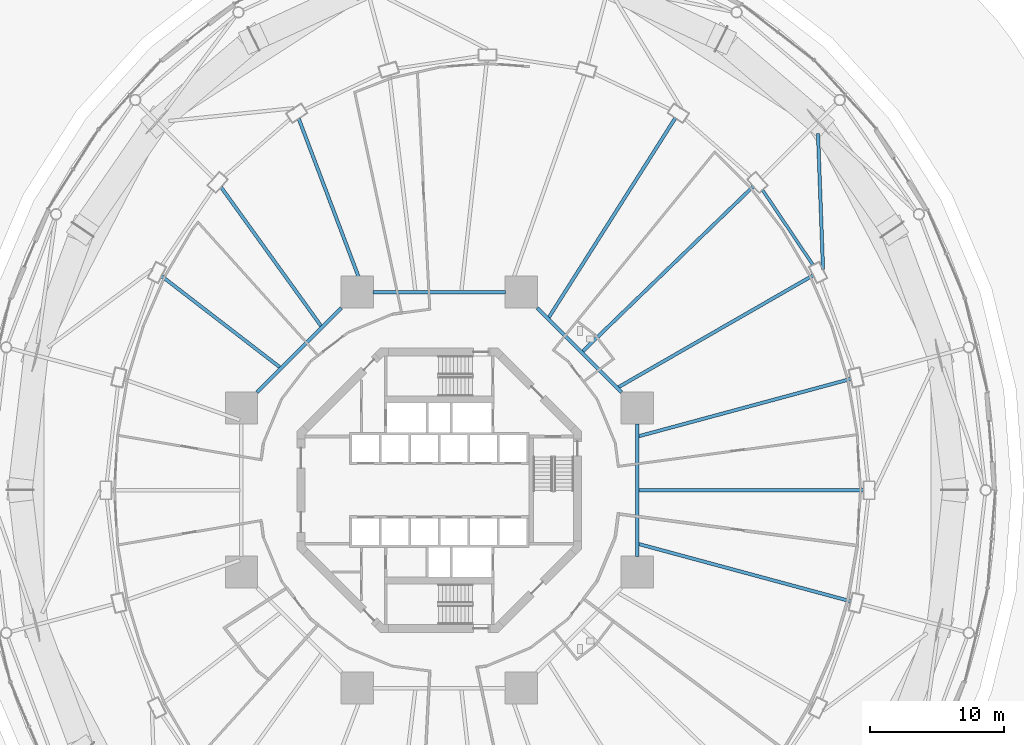
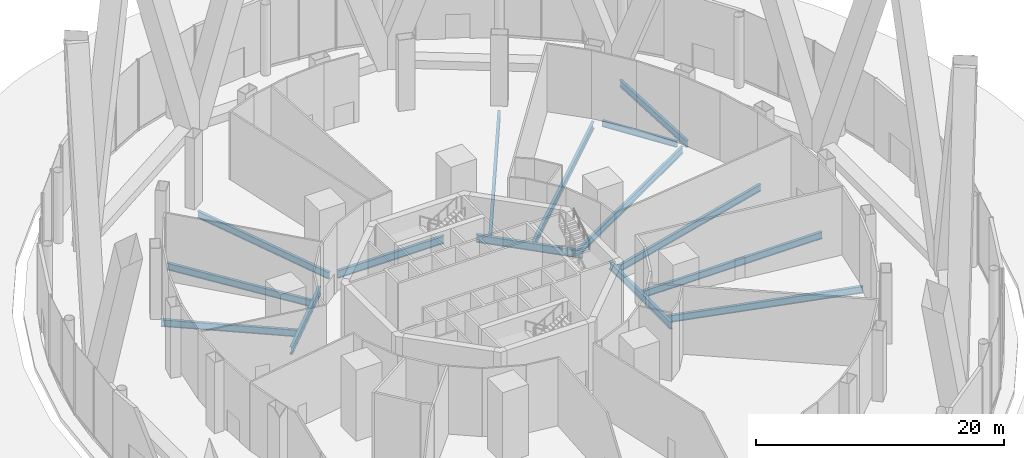
# One storey, part 29 of 67: 15 beams.
"""IFC4 building model written with IfcOpenShell, lengths in metres."""

from ifc_helpers import new_model, si_unit, direction, frame, origin, origin_2d, place, context, subcontext, project, spatial, i_section, extrude, material, material_profile, profile_set, type_object, element, save


model = new_model("IFC4")

# Units and contexts
model_context = context("Model", 3, precision=1e-05, world=origin(), true_north=direction((0.0, 1.0)))
body_context = subcontext(model_context, "Body", "Model", "MODEL_VIEW")
ifc_project = project(units=[si_unit("LENGTHUNIT", "METRE"), si_unit("AREAUNIT", "SQUARE_METRE"), si_unit("VOLUMEUNIT", "CUBIC_METRE"), si_unit("PLANEANGLEUNIT", "RADIAN"), si_unit("MASSUNIT", "GRAM", prefix="KILO")], contexts=[model_context])

# Site, building, storey
site_placement = place(None, origin())
site = spatial("IfcSite", under=ifc_project, at=site_placement, CompositionType="ELEMENT")
building_placement = place(site_placement, origin())
building = spatial("IfcBuilding", under=site, at=building_placement, Name="Nagisa Residences", CompositionType="ELEMENT")
storey_placement = place(building_placement, origin())
storey = spatial("IfcBuildingStorey", under=building, at=storey_placement, Name="L00", CompositionType="ELEMENT", Elevation=0.0)

# Beams
ifc_material_1 = material(Name="Steel ASTM A572 Gr 50", Category="steel")
ifc_material_profile_1 = material_profile(ifc_material_1, i_section(OverallWidth=0.2529296875, OverallDepth=0.677978515625, WebThickness=0.01171875, FlangeThickness=0.016357421875, at=origin_2d()), Name="W690x125")
ifc_profile_set_1 = profile_set([ifc_material_profile_1], Name="Steel ASTM A572 Gr 50")
beam_type_1 = type_object("IfcBeamType", Name="Atrium outer beam W690x125", PredefinedType="BEAM", material=ifc_profile_set_1)
beam_1_placement = place(storey_placement, frame((28.65478515625, 16.46533203125, -0.739013671875), z_axis=(-0.037024093308, 0.999314373215, 0.0), x_axis=(-0.999314373215, -0.037024093308, 0.0)))
element("IfcBeam", 1, at=beam_1_placement, inside=storey, type_object=beam_type_1, Name="beam:L00:er03a", PredefinedType="BEAM", context=body_context, shape_type="SweptSolid", body=[
    extrude(i_section(OverallWidth=0.2529296875, OverallDepth=0.677978515625, WebThickness=0.01171875, FlangeThickness=0.016357421875, at=origin_2d()), origin(), (0.0, 0.0, 1.0), 10.168212890625),
])
ifc_material_2 = material(Name="Steel ASTM A572 Gr 50", Category="steel")
ifc_material_profile_2 = material_profile(ifc_material_2, i_section(OverallWidth=0.264892578125, OverallDepth=0.7529296875, WebThickness=0.01318359375, FlangeThickness=0.01708984375, at=origin_2d()), Name="W760x147")
ifc_profile_set_2 = profile_set([ifc_material_profile_2], Name="Steel ASTM A572 Gr 50")
beam_type_2 = type_object("IfcBeamType", Name="Inner ring beam W760x147", PredefinedType="BEAM", material=ifc_profile_set_2)
beam_2_placement = place(storey_placement, frame((13.59619140625, 7.308837890625, -0.776611328125), z_axis=(-0.707106781187, 0.707106781187, 0.0), x_axis=(-0.707106781187, -0.707106781187, 0.0)))
element("IfcBeam", 2, at=beam_2_placement, inside=storey, type_object=beam_type_2, Name="beam:L00:ib1", PredefinedType="BEAM", context=body_context, shape_type="SweptSolid", body=[
    extrude(i_section(OverallWidth=0.264892578125, OverallDepth=0.7529296875, WebThickness=0.01318359375, FlangeThickness=0.01708984375, at=origin_2d()), origin(), (0.0, 0.0, 1.0), 8.8916015625),
])
beam_3_placement = place(storey_placement, frame((4.94287109375, 14.781982421875, -0.776611328125), z_axis=(-1.0, 0.0, 0.0), x_axis=(0.0, -1.0, 0.0)))
element("IfcBeam", 3, at=beam_3_placement, inside=storey, type_object=beam_type_2, Name="beam:L00:ib2", PredefinedType="BEAM", context=body_context, shape_type="SweptSolid", body=[
    extrude(i_section(OverallWidth=0.264892578125, OverallDepth=0.7529296875, WebThickness=0.01318359375, FlangeThickness=0.01708984375, at=origin_2d()), origin(), (0.0, 0.0, 1.0), 9.8857421875),
])
beam_4_placement = place(storey_placement, frame((-7.308837890625, 13.59619140625, -0.776611328125), z_axis=(-0.707106781187, -0.707106781187, 0.0), x_axis=(0.707106781187, -0.707106781187, 0.0)))
element("IfcBeam", 4, at=beam_4_placement, inside=storey, type_object=beam_type_2, Name="beam:L00:ib3", PredefinedType="BEAM", context=body_context, shape_type="SweptSolid", body=[
    extrude(i_section(OverallWidth=0.264892578125, OverallDepth=0.7529296875, WebThickness=0.01318359375, FlangeThickness=0.01708984375, at=origin_2d()), origin(), (0.0, 0.0, 1.0), 8.8916015625),
])
beam_5_placement = place(storey_placement, frame((14.781982421875, -4.94287109375, -0.776611328125), z_axis=(0.0, 1.0, 0.0), x_axis=(-1.0, 0.0, 0.0)))
element("IfcBeam", 5, at=beam_5_placement, inside=storey, type_object=beam_type_2, Name="beam:L00:ib8", PredefinedType="BEAM", context=body_context, shape_type="SweptSolid", body=[
    extrude(i_section(OverallWidth=0.264892578125, OverallDepth=0.7529296875, WebThickness=0.01318359375, FlangeThickness=0.01708984375, at=origin_2d()), origin(), (0.0, 0.0, 1.0), 9.8857421875),
])
ifc_material_3 = material(Name="Steel ASTM A572 Gr 50", Category="steel")
ifc_material_profile_3 = material_profile(ifc_material_3, i_section(OverallWidth=0.22802734375, OverallDepth=0.60302734375, WebThickness=0.010498046875, FlangeThickness=0.014892578125, at=origin_2d()), Name="W610x101")
ifc_profile_set_3 = profile_set([ifc_material_profile_3], Name="Steel ASTM A572 Gr 50")
beam_type_3 = type_object("IfcBeamType", Name="Perimeter ring beam W610x101", PredefinedType="BEAM", material=ifc_profile_set_3)
beam_6_placement = place(storey_placement, frame((27.899169921875, 16.818603515625, -0.701416015625), z_axis=(-0.558271879663, 0.829658067144, 0.0), x_axis=(-0.829658067144, -0.558271879663, 0.0)))
element("IfcBeam", 6, at=beam_6_placement, inside=storey, type_object=beam_type_3, Name="beam:L00:pb03", PredefinedType="BEAM", context=body_context, shape_type="SweptSolid", body=[
    extrude(i_section(OverallWidth=0.22802734375, OverallDepth=0.60302734375, WebThickness=0.010498046875, FlangeThickness=0.014892578125, at=origin_2d()), origin(), (0.0, 0.0, 1.0), 6.74169921875),
])
ifc_material_4 = material(Name="Steel ASTM A572 Gr 50", Category="steel")
ifc_material_profile_4 = material_profile(ifc_material_4, i_section(OverallWidth=0.25390625, OverallDepth=0.68408203125, WebThickness=0.012451171875, FlangeThickness=0.018798828125, at=origin_2d()), Name="W690x140")
ifc_profile_set_4 = profile_set([ifc_material_profile_4], Name="Steel ASTM A572 Gr 50")
beam_type_4 = type_object("IfcBeamType", Name="Radial beam W690x140", PredefinedType="BEAM", material=ifc_profile_set_4)
beam_7_placement = place(storey_placement, frame((31.669921875, 0.0, -0.741943359375), z_axis=(-1.0, 0.0, 0.0), x_axis=(0.0, -1.0, 0.0)))
element("IfcBeam", 7, at=beam_7_placement, inside=storey, type_object=beam_type_4, Name="beam:L00:rb01", PredefinedType="BEAM", context=body_context, shape_type="SweptSolid", body=[
    extrude(i_section(OverallWidth=0.25390625, OverallDepth=0.68408203125, WebThickness=0.012451171875, FlangeThickness=0.018798828125, at=origin_2d()), origin(), (0.0, 0.0, 1.0), 16.775390625),
])
beam_8_placement = place(storey_placement, frame((30.713623046875, 8.29931640625, -0.741943359375), z_axis=(-0.965375968847, -0.260862490162, 0.0), x_axis=(0.260862490162, -0.965375968847, 0.0)))
element("IfcBeam", 8, at=beam_8_placement, inside=storey, type_object=beam_type_4, Name="beam:L00:rb02", PredefinedType="BEAM", context=body_context, shape_type="SweptSolid", body=[
    extrude(i_section(OverallWidth=0.25390625, OverallDepth=0.68408203125, WebThickness=0.012451171875, FlangeThickness=0.018798828125, at=origin_2d()), origin(), (0.0, 0.0, 1.0), 16.3857421875),
])
beam_9_placement = place(storey_placement, frame((27.908447265625, 16.035400390625, -0.741943359375), z_axis=(-0.867068052258, -0.498189715623, 0.0), x_axis=(0.498189715623, -0.867068052258, 0.0)))
element("IfcBeam", 9, at=beam_9_placement, inside=storey, type_object=beam_type_4, Name="beam:L00:rb03", PredefinedType="BEAM", context=body_context, shape_type="SweptSolid", body=[
    extrude(i_section(OverallWidth=0.25390625, OverallDepth=0.68408203125, WebThickness=0.012451171875, FlangeThickness=0.018798828125, at=origin_2d()), origin(), (0.0, 0.0, 1.0), 16.758056640625),
])
beam_10_placement = place(storey_placement, frame((23.443115234375, 22.681640625, -0.741943359375), z_axis=(-0.718678305776, -0.695342716081, 0.0), x_axis=(0.695342716081, -0.718678305776, 0.0)))
element("IfcBeam", 10, at=beam_10_placement, inside=storey, type_object=beam_type_4, Name="beam:L00:rb04", PredefinedType="BEAM", context=body_context, shape_type="SweptSolid", body=[
    extrude(i_section(OverallWidth=0.25390625, OverallDepth=0.68408203125, WebThickness=0.012451171875, FlangeThickness=0.018798828125, at=origin_2d()), origin(), (0.0, 0.0, 1.0), 17.722900390625),
])
beam_11_placement = place(storey_placement, frame((17.61962890625, 27.78271484375, -0.741943359375), z_axis=(-0.53556610664, -0.844493306911, 0.0), x_axis=(0.844493306911, -0.53556610664, 0.0)))
element("IfcBeam", 11, at=beam_11_placement, inside=storey, type_object=beam_type_4, Name="beam:L00:rb05", PredefinedType="BEAM", context=body_context, shape_type="SweptSolid", body=[
    extrude(i_section(OverallWidth=0.25390625, OverallDepth=0.68408203125, WebThickness=0.012451171875, FlangeThickness=0.018798828125, at=origin_2d()), origin(), (0.0, 0.0, 1.0), 17.63525390625),
])
beam_12_placement = place(storey_placement, frame((-10.493896484375, 27.7333984375, -0.741943359375), z_axis=(0.353887892206, -0.935287848606, 0.0), x_axis=(0.935287848606, 0.353887892206, 0.0)))
element("IfcBeam", 12, at=beam_12_placement, inside=storey, type_object=beam_type_4, Name="beam:L00:rb09", PredefinedType="BEAM", context=body_context, shape_type="SweptSolid", body=[
    extrude(i_section(OverallWidth=0.25390625, OverallDepth=0.68408203125, WebThickness=0.012451171875, FlangeThickness=0.018798828125, at=origin_2d()), origin(), (0.0, 0.0, 1.0), 13.725830078125),
])
beam_13_placement = place(storey_placement, frame((-16.29443359375, 22.62255859375, -0.741943359375), z_axis=(0.58445507622, -0.811426068031, 0.0), x_axis=(0.811426068031, 0.58445507622, 0.0)))
element("IfcBeam", 13, at=beam_13_placement, inside=storey, type_object=beam_type_4, Name="beam:L00:rb10", PredefinedType="BEAM", context=body_context, shape_type="SweptSolid", body=[
    extrude(i_section(OverallWidth=0.25390625, OverallDepth=0.68408203125, WebThickness=0.012451171875, FlangeThickness=0.018798828125, at=origin_2d()), origin(), (0.0, 0.0, 1.0), 12.78955078125),
])
beam_14_placement = place(storey_placement, frame((-20.73486328125, 15.982666015625, -0.741943359375), z_axis=(0.792016146736, -0.610500141941, 0.0), x_axis=(0.610500141941, 0.792016146736, 0.0)))
element("IfcBeam", 14, at=beam_14_placement, inside=storey, type_object=beam_type_4, Name="beam:L00:rb11", PredefinedType="BEAM", context=body_context, shape_type="SweptSolid", body=[
    extrude(i_section(OverallWidth=0.25390625, OverallDepth=0.68408203125, WebThickness=0.012451171875, FlangeThickness=0.018798828125, at=origin_2d()), origin(), (0.0, 0.0, 1.0), 11.160888671875),
])
beam_15_placement = place(storey_placement, frame((30.713623046875, -8.29931640625, -0.741943359375), z_axis=(-0.965375968847, 0.260862490162, 0.0), x_axis=(-0.260862490162, -0.965375968847, 0.0)))
element("IfcBeam", 15, at=beam_15_placement, inside=storey, type_object=beam_type_4, Name="beam:L00:rb24", PredefinedType="BEAM", context=body_context, shape_type="SweptSolid", body=[
    extrude(i_section(OverallWidth=0.25390625, OverallDepth=0.68408203125, WebThickness=0.012451171875, FlangeThickness=0.018798828125, at=origin_2d()), origin(), (0.0, 0.0, 1.0), 16.3857421875),
])

save(model, "model.ifc")
